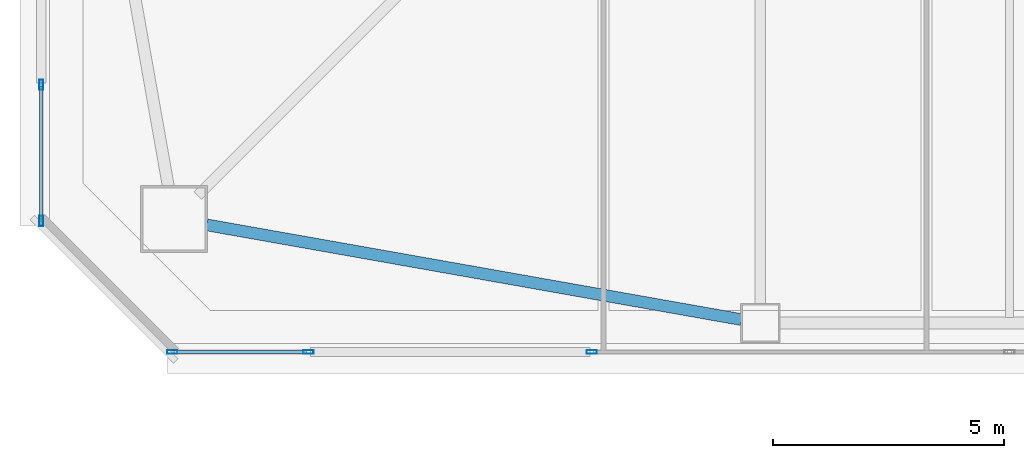
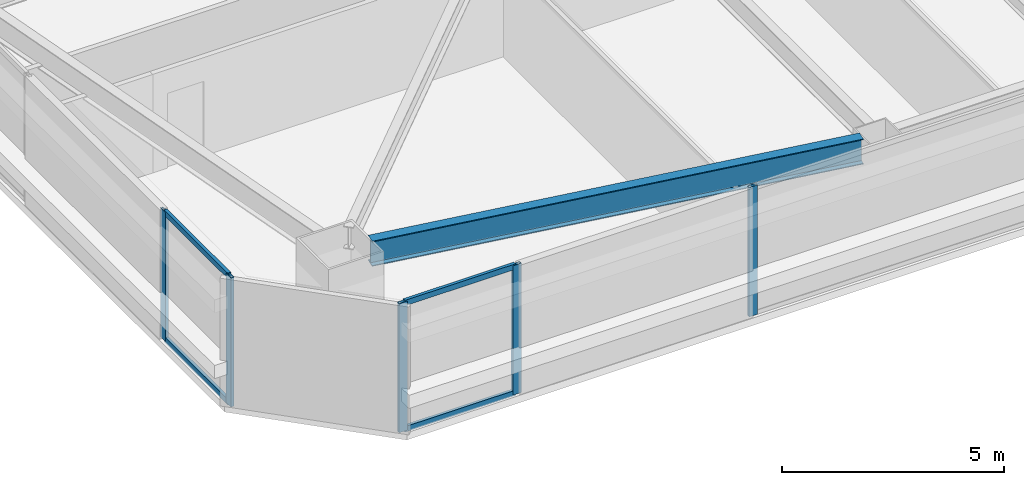
# One storey, part 3 of 47: 9 members, 1 beam, 3 elements without a shape of their own.
"""IFC4 building model written with IfcOpenShell, lengths in metres."""

from ifc_helpers import new_model, si_unit, direction, frame, origin, origin_2d, place, context, subcontext, project, spatial, hollow_rectangle, i_section, extrude, material, material_profile, profile_set, type_object, element, aggregate, save


model = new_model("IFC4")

# Units and contexts
model_context = context("Model", 3, precision=1e-05, world=origin(), true_north=direction((0.0, 1.0)))
body_context = subcontext(model_context, "Body", "Model", "MODEL_VIEW")
ifc_project = project(units=[si_unit("LENGTHUNIT", "METRE"), si_unit("AREAUNIT", "SQUARE_METRE"), si_unit("VOLUMEUNIT", "CUBIC_METRE"), si_unit("PLANEANGLEUNIT", "RADIAN"), si_unit("MASSUNIT", "GRAM", prefix="KILO")], contexts=[model_context])

# Site, building, storey
site_placement = place(None, origin())
site = spatial("IfcSite", under=ifc_project, at=site_placement, CompositionType="ELEMENT")
building_placement = place(site_placement, origin())
building = spatial("IfcBuilding", under=site, at=building_placement, Name="Tashvorn Skyway Center", CompositionType="ELEMENT")
storey_placement = place(building_placement, frame((0.0, 0.0, 81.39990234375)))
storey = spatial("IfcBuildingStorey", under=building, at=storey_placement, Name="L21", CompositionType="ELEMENT", Elevation=81.39990234375)

# Beam
ifc_material_1 = material(Name="Steel ASTM A992 Grade 50", Category="steel")
ifc_material_profile_1 = material_profile(ifc_material_1, i_section(OverallWidth=0.256103515625, OverallDepth=0.693115234375, WebThickness=0.014404296875, FlangeThickness=0.023681640625, at=origin_2d()), Name="W27X114")
ifc_profile_set_1 = profile_set([ifc_material_profile_1], Name="Steel ASTM A992 Grade 50")
beam_type = type_object("IfcBeamType", Name="BM-SPANDREL-W27X114", PredefinedType="SPANDREL", material=ifc_profile_set_1)
beam_placement = place(storey_placement, frame((24.60888671875, 13.7744140625, 3.003662109375), z_axis=(0.98466816531, -0.174437966698, 0.0), x_axis=(0.174437966698, 0.98466816531, 0.0)))
element("IfcBeam", 1, at=beam_placement, inside=storey, type_object=beam_type, Name="Tower 1 L21 Spandrel Beam 01", PredefinedType="SPANDREL", context=body_context, shape_type="SweptSolid", body=[
    extrude(i_section(OverallWidth=0.256103515625, OverallDepth=0.693115234375, WebThickness=0.014404296875, FlangeThickness=0.023681640625, at=origin_2d()), origin(), (0.0, 0.0, 1.0), 11.7578125),
])

# Curtain wall, member
ifc_material_2 = material(Name="Thermally broken bronze-anodized aluminium 6063-T6", Category="aluminium")
curtain_wall_type = type_object("IfcCurtainWallType", Name="CW-CW-Z2", PredefinedType="NOTDEFINED", material=ifc_material_2)
curtain_wall_1_placement = place(storey_placement, origin())
curtain_wall_1 = element("IfcCurtainWall", 2, at=curtain_wall_1_placement, inside=storey, type_object=curtain_wall_type, Name="Tower 1 L21 South Unitised Curtain Wall Glazing Group 2", PredefinedType="NOTDEFINED")
ifc_material_profile_2 = material_profile(ifc_material_2, hollow_rectangle(XDim=0.080078125, YDim=0.219970703125, WallThickness=0.0048828125, at=origin_2d()), Name="ALU-MULL-80x220")
ifc_profile_set_2 = profile_set([ifc_material_profile_2], Name="Thermally broken bronze-anodized aluminium 6063-T6")
member_type_1 = type_object("IfcMemberType", Name="CWM-CW-Z2", PredefinedType="MULLION", material=ifc_profile_set_2)
member_1_placement = place(storey_placement, frame((32.949951171875, 11.02001953125, 0.0), z_axis=(0.0, 0.0, 1.0), x_axis=(0.0, -1.0, 0.0)))
member_1 = element("IfcMember", 3, at=member_1_placement, type_object=member_type_1, Name="CW-Z2 mullion 3", PredefinedType="MULLION", context=body_context, shape_type="SweptSolid", body=[
    extrude(hollow_rectangle(XDim=0.080078125, YDim=0.219970703125, WallThickness=0.0048828125, at=origin_2d()), origin(), (0.0, 0.0, 1.0), 3.550048828125),
])
aggregate(curtain_wall_1, [member_1])

# Curtain wall, members
curtain_wall_2_placement = place(storey_placement, origin())
curtain_wall_2 = element("IfcCurtainWall", 4, at=curtain_wall_2_placement, inside=storey, type_object=curtain_wall_type, Name="Tower 1 L21 South Unitised Curtain Wall Glazing Group 3", PredefinedType="NOTDEFINED")
member_2_placement = place(storey_placement, frame((26.81005859375, 11.02001953125, 0.0), z_axis=(0.0, 0.0, 1.0), x_axis=(0.0, -1.0, 0.0)))
member_2 = element("IfcMember", 5, at=member_2_placement, type_object=member_type_1, Name="CW-Z2 mullion 1", PredefinedType="MULLION", context=body_context, shape_type="SweptSolid", body=[
    extrude(hollow_rectangle(XDim=0.080078125, YDim=0.219970703125, WallThickness=0.0048828125, at=origin_2d()), origin(), (0.0, 0.0, 1.0), 3.550048828125),
])
member_3_placement = place(storey_placement, frame((23.860107421875, 11.02001953125, 0.0), z_axis=(0.0, 0.0, 1.0), x_axis=(0.0, -1.0, 0.0)))
member_3 = element("IfcMember", 6, at=member_3_placement, type_object=member_type_1, Name="CW-Z2 mullion 2", PredefinedType="MULLION", context=body_context, shape_type="SweptSolid", body=[
    extrude(hollow_rectangle(XDim=0.080078125, YDim=0.219970703125, WallThickness=0.0048828125, at=origin_2d()), origin(), (0.0, 0.0, 1.0), 3.550048828125),
])

curtain_wall_3_placement = place(storey_placement, origin())
curtain_wall_3 = element("IfcCurtainWall", 7, at=curtain_wall_3_placement, inside=storey, type_object=curtain_wall_type, Name="Tower 1 L21 West Unitised Curtain Wall Glazing Group 1", PredefinedType="NOTDEFINED")
member_4_placement = place(storey_placement, frame((21.02001953125, 13.860107421875, 0.0), z_axis=(0.0, 0.0, 1.0), x_axis=(-1.0, 0.0, 0.0)))
member_4 = element("IfcMember", 8, at=member_4_placement, type_object=member_type_1, Name="CW-Z2 mullion 1", PredefinedType="MULLION", context=body_context, shape_type="SweptSolid", body=[
    extrude(hollow_rectangle(XDim=0.080078125, YDim=0.219970703125, WallThickness=0.0048828125, at=origin_2d()), origin(), (0.0, 0.0, 1.0), 3.550048828125),
])
member_5_placement = place(storey_placement, frame((21.02001953125, 16.81005859375, 0.0), z_axis=(0.0, 0.0, 1.0), x_axis=(-1.0, 0.0, 0.0)))
member_5 = element("IfcMember", 9, at=member_5_placement, type_object=member_type_1, Name="CW-Z2 mullion 2", PredefinedType="MULLION", context=body_context, shape_type="SweptSolid", body=[
    extrude(hollow_rectangle(XDim=0.080078125, YDim=0.219970703125, WallThickness=0.0048828125, at=origin_2d()), origin(), (0.0, 0.0, 1.0), 3.550048828125),
])

# Member
ifc_material_profile_3 = material_profile(ifc_material_2, hollow_rectangle(XDim=0.080078125, YDim=0.14990234375, WallThickness=0.00439453125, at=origin_2d()), Name="ALU-TRAN-80x150")
ifc_profile_set_3 = profile_set([ifc_material_profile_3], Name="Thermally broken bronze-anodized aluminium 6063-T6")
member_type_2 = type_object("IfcMemberType", Name="CWT-CW-Z2", PredefinedType="USERDEFINED", material=ifc_profile_set_3)
member_6_placement = place(storey_placement, frame((26.77001953125, 11.02001953125, 0.0400390625), z_axis=(-1.0, 0.0, 0.0), x_axis=(0.0, -1.0, 0.0)))
member_6 = element("IfcMember", 10, at=member_6_placement, type_object=member_type_2, Name="CW-Z2 transom 1.1", ObjectType="TRANSOM", PredefinedType="USERDEFINED", context=body_context, shape_type="SweptSolid", body=[
    extrude(hollow_rectangle(XDim=0.080078125, YDim=0.14990234375, WallThickness=0.00439453125, at=origin_2d()), origin(), (0.0, 0.0, 1.0), 2.8701171875),
])

member_7_placement = place(storey_placement, frame((26.77001953125, 11.02001953125, 3.510009765625), z_axis=(-1.0, 0.0, 0.0), x_axis=(0.0, -1.0, 0.0)))
member_7 = element("IfcMember", 11, at=member_7_placement, type_object=member_type_2, Name="CW-Z2 transom 1.2", ObjectType="TRANSOM", PredefinedType="USERDEFINED", context=body_context, shape_type="SweptSolid", body=[
    extrude(hollow_rectangle(XDim=0.080078125, YDim=0.14990234375, WallThickness=0.00439453125, at=origin_2d()), origin(), (0.0, 0.0, 1.0), 2.8701171875),
])

aggregate(curtain_wall_2, [member_2, member_3, member_6, member_7])

member_8_placement = place(storey_placement, frame((21.02001953125, 13.89990234375, 0.0400390625), z_axis=(0.0, 1.0, 0.0), x_axis=(-1.0, 0.0, 0.0)))
member_8 = element("IfcMember", 12, at=member_8_placement, type_object=member_type_2, Name="CW-Z2 transom 1.1", ObjectType="TRANSOM", PredefinedType="USERDEFINED", context=body_context, shape_type="SweptSolid", body=[
    extrude(hollow_rectangle(XDim=0.080078125, YDim=0.14990234375, WallThickness=0.00439453125, at=origin_2d()), origin(), (0.0, 0.0, 1.0), 2.8701171875),
])

member_9_placement = place(storey_placement, frame((21.02001953125, 13.89990234375, 3.510009765625), z_axis=(0.0, 1.0, 0.0), x_axis=(-1.0, 0.0, 0.0)))
member_9 = element("IfcMember", 13, at=member_9_placement, type_object=member_type_2, Name="CW-Z2 transom 1.2", ObjectType="TRANSOM", PredefinedType="USERDEFINED", context=body_context, shape_type="SweptSolid", body=[
    extrude(hollow_rectangle(XDim=0.080078125, YDim=0.14990234375, WallThickness=0.00439453125, at=origin_2d()), origin(), (0.0, 0.0, 1.0), 2.8701171875),
])

aggregate(curtain_wall_3, [member_4, member_5, member_8, member_9])

save(model, "model.ifc")
